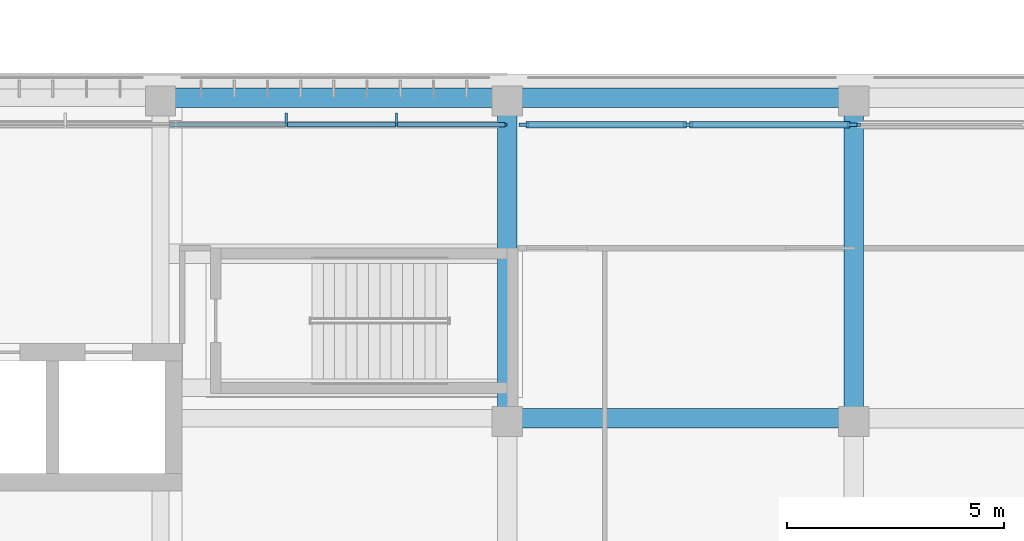
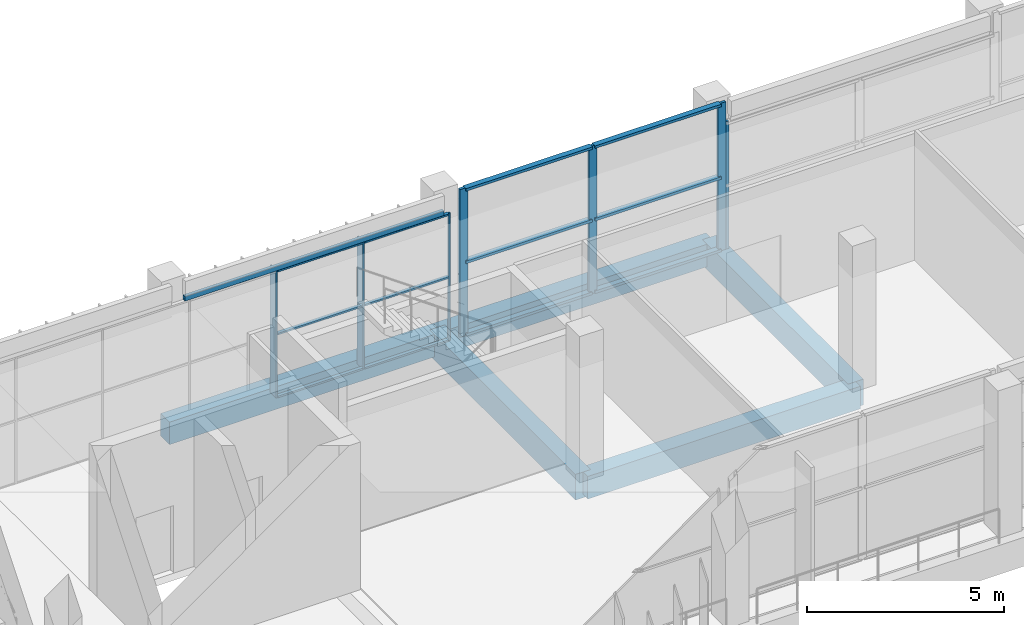
# One storey, part 6 of 46: 19 members, 6 beams, 3 elements without a shape of their own.
"""IFC4 building model written with IfcOpenShell, lengths in metres."""

import ifcopenshell
import ifcopenshell.guid

model = None  # the IFC model being written
_history = None  # IfcOwnerHistory: only IFC2X3 demands one
_inside = {}  # id of a spatial element -> (the spatial element, [elements in it])
_under = {}  # id of a project, library or spatial element -> (it, [spatial elements below it])
_declared = {}  # id of a project -> (the project, [libraries it declares])
_typed = {}  # id of a type object -> (the type object, [elements of that type])
_made_of = {}  # id of a material, layer set ... -> (it, [elements and type objects made of it])


def new_model(schema):
    """Start an empty IFC model of exactly this schema.

    Asked for "IFC4X3", IfcOpenShell would pick the latest addendum, in which some entities
    have other attributes; the version numbers below select the first issue.
    IFC2X3 requires an IfcOwnerHistory on every rooted entity: one is made here for all.
    """
    global model, _history
    if schema == "IFC4X3":
        model = ifcopenshell.file(schema_version=(4, 3, 0, 0))
    else:
        model = ifcopenshell.file(schema=schema)
    _inside.clear()
    _under.clear()
    _declared.clear()
    _typed.clear()
    _made_of.clear()
    _history = None
    if model.schema == "IFC2X3":
        org = make("IfcOrganization", Name="unknown")
        user = make(
            "IfcPersonAndOrganization",
            ThePerson=make("IfcPerson", FamilyName="unknown"),
            TheOrganization=org,
        )
        app = make(
            "IfcApplication",
            ApplicationDeveloper=org,
            Version="unknown",
            ApplicationFullName="unknown",
            ApplicationIdentifier="unknown",
        )
        _history = make(
            "IfcOwnerHistory",
            OwningUser=user,
            OwningApplication=app,
            ChangeAction="ADDED",
            CreationDate=0,
        )
    return model


def make(cls, **values):
    """One entity of the class cls with the attributes given. An attribute that is None is left unset."""
    return model.create_entity(
        cls, **{name: value for name, value in values.items() if value is not None}
    )


def rooted(cls, **values):
    """An entity with a GlobalId (a new one), such as an element, a storey or a relation."""
    return make(cls, GlobalId=ifcopenshell.guid.new(), OwnerHistory=_history, **values)


def si_unit(unit_type, name, prefix=None):
    """IfcSIUnit, for example si_unit("LENGTHUNIT", "METRE", prefix="MILLI")."""
    return make("IfcSIUnit", UnitType=unit_type, Prefix=prefix, Name=name)


def assignment(units):
    """IfcUnitAssignment: the units of a project."""
    return None if units is None else make("IfcUnitAssignment", Units=units)


def point(xyz):
    """IfcCartesianPoint."""
    return None if xyz is None else make("IfcCartesianPoint", Coordinates=xyz)


def direction(xyz):
    """IfcDirection."""
    return None if xyz is None else make("IfcDirection", DirectionRatios=xyz)


def frame(location, z_axis=None, x_axis=None):
    """IfcAxis2Placement3D, a coordinate frame: its origin and axes. An axis left out is left unset."""
    return make(
        "IfcAxis2Placement3D",
        Location=point(location),
        Axis=direction(z_axis),
        RefDirection=direction(x_axis),
    )


def frame_2d(location, x_axis=None):
    """IfcAxis2Placement2D, a coordinate frame in the plane: its origin and x axis."""
    return make(
        "IfcAxis2Placement2D", Location=point(location), RefDirection=direction(x_axis)
    )


def origin():
    """The frame at (0, 0, 0) with its axes left unset."""
    return frame((0.0, 0.0, 0.0))


def origin_2d():
    """The frame at (0, 0) in the plane with its x axis left unset."""
    return frame_2d((0.0, 0.0))


def place(relative_to, where):
    """IfcLocalPlacement: puts the frame where relative to a parent placement (None: the world)."""
    return make(
        "IfcLocalPlacement", PlacementRelTo=relative_to, RelativePlacement=where
    )


def context(
    kind, dimensions, precision=None, world=None, true_north=None, identifier=None
):
    """IfcGeometricRepresentationContext, for example the 3D "Model" context."""
    return make(
        "IfcGeometricRepresentationContext",
        ContextIdentifier=identifier,
        ContextType=kind,
        CoordinateSpaceDimension=dimensions,
        Precision=precision,
        WorldCoordinateSystem=world,
        TrueNorth=true_north,
    )


def subcontext(parent, identifier, kind, view, scale=None):
    """IfcGeometricRepresentationSubContext, for example "Body" below "Model"."""
    return make(
        "IfcGeometricRepresentationSubContext",
        ContextIdentifier=identifier,
        ContextType=kind,
        ParentContext=parent,
        TargetScale=scale,
        TargetView=view,
    )


def project(units=None, contexts=None):
    """IfcProject with its units and contexts."""
    return rooted(
        "IfcProject",
        Name="project",
        RepresentationContexts=contexts,
        UnitsInContext=assignment(units),
    )


def spatial(cls, under=None, at=None, **own):
    """A site, building, storey or space (cls), placed at a placement, below another one or the project."""
    s = rooted(cls, ObjectPlacement=at, **own)
    if under is not None:
        _under.setdefault(under.id(), (under, []))[1].append(s)
    return s


def profile(cls, at=None, kind="AREA", **sizes):
    """A parametric profile (cls). Its sizes go by their IFC names, for example OverallWidth=200.0."""
    return make(cls, ProfileType=kind, Position=at, **sizes)


def rectangle(**sizes):
    """IfcRectangleProfileDef."""
    return profile("IfcRectangleProfileDef", **sizes)


def hollow_rectangle(**sizes):
    """IfcRectangleHollowProfileDef."""
    return profile("IfcRectangleHollowProfileDef", **sizes)


def extrude(swept, where, along, depth):
    """IfcExtrudedAreaSolid: the profile swept, set in the frame where, extruded along a direction by depth."""
    return make(
        "IfcExtrudedAreaSolid",
        SweptArea=swept,
        Position=where,
        ExtrudedDirection=direction(along),
        Depth=depth,
    )


def shape(context_of_items, identifier, shape_type, items):
    """IfcShapeRepresentation: the items that make up one representation, for example the "Body"."""
    return make(
        "IfcShapeRepresentation",
        ContextOfItems=context_of_items,
        RepresentationIdentifier=identifier,
        RepresentationType=shape_type,
        Items=items,
    )


def material(Name=None, Category=None):
    """IfcMaterial."""
    return make("IfcMaterial", Name=Name, Category=Category)


def material_profile(
    of_material, cross_section, Name=None, Category=None, Priority=None
):
    """IfcMaterialProfile: a cross section and its material."""
    return make(
        "IfcMaterialProfile",
        Name=Name,
        Material=of_material,
        Profile=cross_section,
        Priority=Priority,
        Category=Category,
    )


def profile_set(profiles, Name=None, composite=None):
    """IfcMaterialProfileSet."""
    return make(
        "IfcMaterialProfileSet",
        Name=Name,
        MaterialProfiles=profiles,
        CompositeProfile=composite,
    )


def made_of(thing, what):
    """Note that an element or type object is made of a material, layer set ...; save() writes the relation."""
    if what is not None:
        _made_of.setdefault(what.id(), (what, []))[1].append(thing)
    return thing


def type_object(cls, material=None, **own):
    """A type object (cls), such as IfcWallType, which elements share."""
    return made_of(rooted(cls, **own), material)


def element(
    cls,
    number,
    at=None,
    inside=None,
    cuts=None,
    type_object=None,
    material=None,
    context=None,
    identifier="Body",
    shape_type=None,
    held_by="IfcProductDefinitionShape",
    body=None,
    shapes=None,
    **own,
):
    """One element of the class cls, such as IfcWall. Its Tag is "e" and its number.

    at: its placement. inside: the storey or other place that contains it. cuts: it is an
    opening in that element (IfcRelVoidsElement). A single representation is given by context,
    identifier, shape_type and body (its items); several are given by shapes. held_by: the class
    of the entity that holds the representations. save() writes the other relations.
    """
    e = rooted(cls, Tag="e%d" % number, ObjectPlacement=at, **own)
    if body is not None:
        shapes = [shape(context, identifier, shape_type, body)]
    if shapes is not None:
        e.Representation = make(held_by, Representations=shapes)
    if inside is not None:
        _inside.setdefault(inside.id(), (inside, []))[1].append(e)
    if cuts is not None:
        rooted(
            "IfcRelVoidsElement", RelatingBuildingElement=cuts, RelatedOpeningElement=e
        )
    if type_object is not None:
        _typed.setdefault(type_object.id(), (type_object, []))[1].append(e)
    return made_of(e, material)


def aggregate(whole, parts):
    """IfcRelAggregates: a whole, such as a stair, and the parts it consists of."""
    return rooted("IfcRelAggregates", RelatingObject=whole, RelatedObjects=parts)


def save(model, path):
    """Write the relations noted so far, then the file.

    IfcRelAggregates (storeys below a building ...), IfcRelContainedInSpatialStructure (elements
    in a storey), IfcRelDefinesByType, IfcRelAssociatesMaterial and IfcRelDeclares: one each for
    every whole, place, type object, material and project.
    """
    for whole, parts in _under.values():
        aggregate(whole, parts)
    for where, things in _inside.values():
        rooted(
            "IfcRelContainedInSpatialStructure",
            RelatedElements=things,
            RelatingStructure=where,
        )
    for kind, things in _typed.values():
        rooted("IfcRelDefinesByType", RelatedObjects=things, RelatingType=kind)
    for what, things in _made_of.values():
        rooted("IfcRelAssociatesMaterial", RelatedObjects=things, RelatingMaterial=what)
    for by, libraries in _declared.values():
        rooted("IfcRelDeclares", RelatingContext=by, RelatedDefinitions=libraries)
    model.write(path)


model = new_model("IFC4")

# Units and contexts
model_context = context("Model", 3, precision=1e-05, world=origin(), true_north=direction((0.0, 1.0)))
body_context = subcontext(model_context, "Body", "Model", "MODEL_VIEW")
ifc_project = project(units=[si_unit("LENGTHUNIT", "METRE"), si_unit("AREAUNIT", "SQUARE_METRE"), si_unit("VOLUMEUNIT", "CUBIC_METRE"), si_unit("PLANEANGLEUNIT", "RADIAN"), si_unit("MASSUNIT", "GRAM", prefix="KILO")], contexts=[model_context])

# Site, building, storey
site_placement = place(None, origin())
site = spatial("IfcSite", under=ifc_project, at=site_placement, CompositionType="ELEMENT")
building_placement = place(site_placement, origin())
building = spatial("IfcBuilding", under=site, at=building_placement, Name="Lantern Court Media Centre", CompositionType="ELEMENT")
storey_placement = place(building_placement, frame((0.0, 0.0, 28.800048828125)))
storey = spatial("IfcBuildingStorey", under=building, at=storey_placement, Name="L06", CompositionType="ELEMENT", Elevation=28.800048828125)

# Curtain wall, members
ifc_material_1 = material(Name="Curtain wall bay 2400")
curtain_wall_type_1 = type_object("IfcCurtainWallType", Name="Curtain wall bay 2400", PredefinedType="NOTDEFINED", material=ifc_material_1)
curtain_wall_1_placement = place(storey_placement, origin())
curtain_wall_1 = element("IfcCurtainWall", 1, at=curtain_wall_1_placement, inside=storey, type_object=curtain_wall_type_1, Name="Curtain wall S inner L06", PredefinedType="NOTDEFINED")
ifc_material_2 = material(Name="Anodised aluminium", Category="aluminium")
ifc_material_profile_1 = material_profile(ifc_material_2, rectangle(XDim=0.300048828125, YDim=0.050048828125, at=origin_2d()), Name="AL 50x300")
ifc_profile_set_1 = profile_set([ifc_material_profile_1], Name="Anodised aluminium")
member_type_1 = type_object("IfcMemberType", Name="Curtain wall mullion 50x300", PredefinedType="MULLION", material=ifc_profile_set_1)
member_1_placement = place(storey_placement, frame((34.89990234375, 56.969970703125, 0.0), z_axis=(0.0, 0.0, 1.0), x_axis=(0.0, 1.0, 0.0)))
member_1 = element("IfcMember", 2, at=member_1_placement, type_object=member_type_1, Name="CW2 mullion 5", PredefinedType="MULLION", context=body_context, shape_type="SweptSolid", body=[
    extrude(rectangle(XDim=0.300048828125, YDim=0.050048828125, at=origin_2d()), origin(), (0.0, 0.0, 1.0), 3.949951171875),
])
member_2_placement = place(storey_placement, frame((37.449951171875, 56.969970703125, 0.0), z_axis=(0.0, 0.0, 1.0), x_axis=(0.0, 1.0, 0.0)))
member_2 = element("IfcMember", 3, at=member_2_placement, type_object=member_type_1, Name="CW2 mullion 6", PredefinedType="MULLION", context=body_context, shape_type="SweptSolid", body=[
    extrude(rectangle(XDim=0.300048828125, YDim=0.050048828125, at=origin_2d()), origin(), (0.0, 0.0, 1.0), 3.949951171875),
])
ifc_material_profile_2 = material_profile(ifc_material_2, rectangle(XDim=0.06005859375, YDim=0.050048828125, at=origin_2d()), Name="AL 50x60")
ifc_profile_set_2 = profile_set([ifc_material_profile_2], Name="Anodised aluminium")
member_type_2 = type_object("IfcMemberType", Name="Curtain wall mullion 50x60", PredefinedType="MULLION", material=ifc_profile_set_2)
member_3_placement = place(storey_placement, frame((39.97509765625, 56.85009765625, 0.0), z_axis=(0.0, 0.0, 1.0), x_axis=(0.0, 1.0, 0.0)))
member_3 = element("IfcMember", 4, at=member_3_placement, type_object=member_type_2, Name="CW2 mullion 7", PredefinedType="MULLION", context=body_context, shape_type="SweptSolid", body=[
    extrude(rectangle(XDim=0.06005859375, YDim=0.050048828125, at=origin_2d()), origin(), (0.0, 0.0, 1.0), 3.949951171875),
])

ifc_material_3 = material(Name="Curtain wall bay 4000")
curtain_wall_type_2 = type_object("IfcCurtainWallType", Name="Curtain wall bay 4000", PredefinedType="NOTDEFINED", material=ifc_material_3)
curtain_wall_2_placement = place(storey_placement, origin())
curtain_wall_2 = element("IfcCurtainWall", 5, at=curtain_wall_2_placement, inside=storey, type_object=curtain_wall_type_2, Name="Curtain wall S inner L06", PredefinedType="NOTDEFINED")
ifc_material_profile_3 = material_profile(ifc_material_2, rectangle(XDim=0.080078125, YDim=0.239990234375, at=origin_2d()), Name="AL 80x240")
ifc_profile_set_3 = profile_set([ifc_material_profile_3], Name="Anodised aluminium")
member_type_3 = type_object("IfcMemberType", Name="Curtain wall mullion 80x240", PredefinedType="MULLION", material=ifc_profile_set_3)
member_4_placement = place(storey_placement, frame((40.389892578125, 56.85009765625, 0.0), z_axis=(0.0, 0.0, 1.0), x_axis=(0.0, 1.0, 0.0)))
member_4 = element("IfcMember", 6, at=member_4_placement, type_object=member_type_3, Name="CW3 mullion 1", PredefinedType="MULLION", context=body_context, shape_type="SweptSolid", body=[
    extrude(rectangle(XDim=0.080078125, YDim=0.239990234375, at=origin_2d()), origin(), (0.0, 0.0, 1.0), 4.579833984375),
])
member_5_placement = place(storey_placement, frame((44.175048828125, 56.85009765625, 0.0), z_axis=(0.0, 0.0, 1.0), x_axis=(0.0, 1.0, 0.0)))
member_5 = element("IfcMember", 7, at=member_5_placement, type_object=member_type_3, Name="CW3 mullion 2", PredefinedType="MULLION", context=body_context, shape_type="SweptSolid", body=[
    extrude(rectangle(XDim=0.080078125, YDim=0.239990234375, at=origin_2d()), origin(), (0.0, 0.0, 1.0), 4.579833984375),
])
member_6_placement = place(storey_placement, frame((47.9599609375, 56.85009765625, 0.0), z_axis=(0.0, 0.0, 1.0), x_axis=(0.0, 1.0, 0.0)))
member_6 = element("IfcMember", 8, at=member_6_placement, type_object=member_type_3, Name="CW3 mullion 3", PredefinedType="MULLION", context=body_context, shape_type="SweptSolid", body=[
    extrude(rectangle(XDim=0.080078125, YDim=0.239990234375, at=origin_2d()), origin(), (0.0, 0.0, 1.0), 4.579833984375),
])

# Curtain wall, member
curtain_wall_3_placement = place(storey_placement, origin())
curtain_wall_3 = element("IfcCurtainWall", 9, at=curtain_wall_3_placement, inside=storey, type_object=curtain_wall_type_2, Name="Curtain wall S inner L06", PredefinedType="NOTDEFINED")
member_7_placement = place(storey_placement, frame((48.0400390625, 56.85009765625, 0.0), z_axis=(0.0, 0.0, 1.0), x_axis=(0.0, 1.0, 0.0)))
member_7 = element("IfcMember", 10, at=member_7_placement, type_object=member_type_3, Name="CW3 mullion 1", PredefinedType="MULLION", context=body_context, shape_type="SweptSolid", body=[
    extrude(rectangle(XDim=0.080078125, YDim=0.239990234375, at=origin_2d()), origin(), (0.0, 0.0, 1.0), 3.949951171875),
])
aggregate(curtain_wall_3, [member_7])

# Member
ifc_material_profile_4 = material_profile(ifc_material_2, rectangle(XDim=0.10009765625, YDim=0.050048828125, at=origin_2d()), Name="AL 50x100")
ifc_profile_set_4 = profile_set([ifc_material_profile_4], Name="Anodised aluminium")
member_type_4 = type_object("IfcMemberType", Name="Curtain wall transom 100x50", PredefinedType="USERDEFINED", material=ifc_profile_set_4)
member_8_placement = place(storey_placement, frame((34.925048828125, 56.85009765625, 0.02490234375), z_axis=(1.0, 0.0, 0.0), x_axis=(0.0, 1.0, 0.0)))
member_8 = element("IfcMember", 11, at=member_8_placement, type_object=member_type_4, Name="CW2 transom 5.1", ObjectType="TRANSOM", PredefinedType="USERDEFINED", context=body_context, shape_type="SweptSolid", body=[
    extrude(rectangle(XDim=0.10009765625, YDim=0.050048828125, at=origin_2d()), origin(), (0.0, 0.0, 1.0), 2.5),
])

member_9_placement = place(storey_placement, frame((34.925048828125, 56.85009765625, 1.974853515625), z_axis=(1.0, 0.0, 0.0), x_axis=(0.0, 1.0, 0.0)))
member_9 = element("IfcMember", 12, at=member_9_placement, type_object=member_type_4, Name="CW2 transom 5.2", ObjectType="TRANSOM", PredefinedType="USERDEFINED", context=body_context, shape_type="SweptSolid", body=[
    extrude(rectangle(XDim=0.10009765625, YDim=0.050048828125, at=origin_2d()), origin(), (0.0, 0.0, 1.0), 2.5),
])

member_10_placement = place(storey_placement, frame((34.925048828125, 56.85009765625, 3.925048828125), z_axis=(1.0, 0.0, 0.0), x_axis=(0.0, 1.0, 0.0)))
member_10 = element("IfcMember", 13, at=member_10_placement, type_object=member_type_4, Name="CW2 transom 5.3", ObjectType="TRANSOM", PredefinedType="USERDEFINED", context=body_context, shape_type="SweptSolid", body=[
    extrude(rectangle(XDim=0.10009765625, YDim=0.050048828125, at=origin_2d()), origin(), (0.0, 0.0, 1.0), 2.5),
])

member_11_placement = place(storey_placement, frame((37.47509765625, 56.85009765625, 0.02490234375), z_axis=(1.0, 0.0, 0.0), x_axis=(0.0, 1.0, 0.0)))
member_11 = element("IfcMember", 14, at=member_11_placement, type_object=member_type_4, Name="CW2 transom 6.1", ObjectType="TRANSOM", PredefinedType="USERDEFINED", context=body_context, shape_type="SweptSolid", body=[
    extrude(rectangle(XDim=0.10009765625, YDim=0.050048828125, at=origin_2d()), origin(), (0.0, 0.0, 1.0), 2.474853515625),
])

member_12_placement = place(storey_placement, frame((37.47509765625, 56.85009765625, 1.974853515625), z_axis=(1.0, 0.0, 0.0), x_axis=(0.0, 1.0, 0.0)))
member_12 = element("IfcMember", 15, at=member_12_placement, type_object=member_type_4, Name="CW2 transom 6.2", ObjectType="TRANSOM", PredefinedType="USERDEFINED", context=body_context, shape_type="SweptSolid", body=[
    extrude(rectangle(XDim=0.10009765625, YDim=0.050048828125, at=origin_2d()), origin(), (0.0, 0.0, 1.0), 2.474853515625),
])

member_13_placement = place(storey_placement, frame((37.47509765625, 56.85009765625, 3.925048828125), z_axis=(1.0, 0.0, 0.0), x_axis=(0.0, 1.0, 0.0)))
member_13 = element("IfcMember", 16, at=member_13_placement, type_object=member_type_4, Name="CW2 transom 6.3", ObjectType="TRANSOM", PredefinedType="USERDEFINED", context=body_context, shape_type="SweptSolid", body=[
    extrude(rectangle(XDim=0.10009765625, YDim=0.050048828125, at=origin_2d()), origin(), (0.0, 0.0, 1.0), 2.474853515625),
])

aggregate(curtain_wall_1, [member_1, member_2, member_3, member_8, member_9, member_10, member_11, member_12, member_13])

ifc_material_profile_5 = material_profile(ifc_material_2, rectangle(XDim=0.159912109375, YDim=0.080078125, at=origin_2d()), Name="AL 80x160")
ifc_profile_set_5 = profile_set([ifc_material_profile_5], Name="Anodised aluminium")
member_type_5 = type_object("IfcMemberType", Name="Curtain wall transom 160x80", PredefinedType="USERDEFINED", material=ifc_profile_set_5)
member_14_placement = place(storey_placement, frame((40.429931640625, 56.85009765625, 0.0400390625), z_axis=(1.0, 0.0, 0.0), x_axis=(0.0, 1.0, 0.0)))
member_14 = element("IfcMember", 17, at=member_14_placement, type_object=member_type_5, Name="CW3 transom 1.1", ObjectType="TRANSOM", PredefinedType="USERDEFINED", context=body_context, shape_type="SweptSolid", body=[
    extrude(rectangle(XDim=0.159912109375, YDim=0.080078125, at=origin_2d()), origin(), (0.0, 0.0, 1.0), 3.705078125),
])

member_15_placement = place(storey_placement, frame((40.429931640625, 56.85009765625, 2.2900390625), z_axis=(1.0, 0.0, 0.0), x_axis=(0.0, 1.0, 0.0)))
member_15 = element("IfcMember", 18, at=member_15_placement, type_object=member_type_5, Name="CW3 transom 1.2", ObjectType="TRANSOM", PredefinedType="USERDEFINED", context=body_context, shape_type="SweptSolid", body=[
    extrude(rectangle(XDim=0.159912109375, YDim=0.080078125, at=origin_2d()), origin(), (0.0, 0.0, 1.0), 3.705078125),
])

member_16_placement = place(storey_placement, frame((40.429931640625, 56.85009765625, 4.5400390625), z_axis=(1.0, 0.0, 0.0), x_axis=(0.0, 1.0, 0.0)))
member_16 = element("IfcMember", 19, at=member_16_placement, type_object=member_type_5, Name="CW3 transom 1.3", ObjectType="TRANSOM", PredefinedType="USERDEFINED", context=body_context, shape_type="SweptSolid", body=[
    extrude(rectangle(XDim=0.159912109375, YDim=0.080078125, at=origin_2d()), origin(), (0.0, 0.0, 1.0), 3.705078125),
])

member_17_placement = place(storey_placement, frame((44.215087890625, 56.85009765625, 0.0400390625), z_axis=(1.0, 0.0, 0.0), x_axis=(0.0, 1.0, 0.0)))
member_17 = element("IfcMember", 20, at=member_17_placement, type_object=member_type_5, Name="CW3 transom 2.1", ObjectType="TRANSOM", PredefinedType="USERDEFINED", context=body_context, shape_type="SweptSolid", body=[
    extrude(rectangle(XDim=0.159912109375, YDim=0.080078125, at=origin_2d()), origin(), (0.0, 0.0, 1.0), 3.704833984375),
])

member_18_placement = place(storey_placement, frame((44.215087890625, 56.85009765625, 2.2900390625), z_axis=(1.0, 0.0, 0.0), x_axis=(0.0, 1.0, 0.0)))
member_18 = element("IfcMember", 21, at=member_18_placement, type_object=member_type_5, Name="CW3 transom 2.2", ObjectType="TRANSOM", PredefinedType="USERDEFINED", context=body_context, shape_type="SweptSolid", body=[
    extrude(rectangle(XDim=0.159912109375, YDim=0.080078125, at=origin_2d()), origin(), (0.0, 0.0, 1.0), 3.704833984375),
])

member_19_placement = place(storey_placement, frame((44.215087890625, 56.85009765625, 4.5400390625), z_axis=(1.0, 0.0, 0.0), x_axis=(0.0, 1.0, 0.0)))
member_19 = element("IfcMember", 22, at=member_19_placement, type_object=member_type_5, Name="CW3 transom 2.3", ObjectType="TRANSOM", PredefinedType="USERDEFINED", context=body_context, shape_type="SweptSolid", body=[
    extrude(rectangle(XDim=0.159912109375, YDim=0.080078125, at=origin_2d()), origin(), (0.0, 0.0, 1.0), 3.704833984375),
])

aggregate(curtain_wall_2, [member_4, member_5, member_6, member_14, member_15, member_16, member_17, member_18, member_19])

# Beams
ifc_material_4 = material(Name="Steel S355J2 (EN 10025-2)", Category="steel")
ifc_material_profile_6 = material_profile(ifc_material_4, hollow_rectangle(XDim=0.10009765625, YDim=0.14990234375, WallThickness=0.00634765625, InnerFilletRadius=0.00634765625, OuterFilletRadius=0.009521484375, at=origin_2d()), Name="Facade head lintel RHS 150x100x6.3")
ifc_profile_set_6 = profile_set([ifc_material_profile_6], Name="Steel S355J2 (EN 10025-2)")
beam_type_1 = type_object("IfcBeamType", Name="Facade head lintel RHS 150x100x6.3", PredefinedType="BEAM", material=ifc_profile_set_6)
beam_placement = place(storey_placement, frame((32.199951171875, 56.85009765625, 4.02490234375), z_axis=(1.0, 0.0, 0.0), x_axis=(0.0, 1.0, 0.0)))
element("IfcBeam", 23, at=beam_placement, inside=storey, type_object=beam_type_1, Name="Facade head lintel S L06", PredefinedType="BEAM", context=body_context, shape_type="SweptSolid", body=[
    extrude(hollow_rectangle(XDim=0.10009765625, YDim=0.14990234375, WallThickness=0.00634765625, InnerFilletRadius=0.00634765625, OuterFilletRadius=0.009521484375, at=origin_2d()), origin(), (0.0, 0.0, 1.0), 7.60009765625),
])
ifc_material_5 = material(Name="Concrete C35", Category="concrete")
ifc_material_profile_7 = material_profile(ifc_material_5, rectangle(XDim=0.449951171875, YDim=0.699951171875, at=origin_2d()), Name="RC 450x700")
ifc_profile_set_7 = profile_set([ifc_material_profile_7], Name="Concrete C35")
beam_type_2 = type_object("IfcBeamType", Name="RC BEAM 450x700", PredefinedType="BEAM", material=ifc_profile_set_7)
for number, where, z_axis, x_axis, name in (
    (24, (40.0, 50.072998046875, -0.35009765625), (1.0, 0.0, 0.0), (0.0, 1.0, 0.0), "LB-S-L06-1-2"),
    (25, (32.0, 57.472900390625, -0.35009765625), (1.0, 0.0, 0.0), (0.0, 1.0, 0.0), "LB-S-L06-2-1"),
    (26, (40.0, 57.472900390625, -0.35009765625), (1.0, 0.0, 0.0), (0.0, 1.0, 0.0), "LB-S-L06-2-2"),
):
    element("IfcBeam", number, at=place(storey_placement, frame(where, z_axis=z_axis, x_axis=x_axis)), inside=storey, type_object=beam_type_2, Name=name, PredefinedType="BEAM", context=body_context, shape_type="SweptSolid", body=[
        extrude(rectangle(XDim=0.449951171875, YDim=0.699951171875, at=origin_2d()), origin(), (0.0, 0.0, 1.0), 8.0),
    ])
ifc_material_profile_8 = material_profile(ifc_material_5, rectangle(XDim=0.449951171875, YDim=0.800048828125, at=origin_2d()), Name="RC 450x800")
ifc_profile_set_8 = profile_set([ifc_material_profile_8], Name="Concrete C35")
beam_type_3 = type_object("IfcBeamType", Name="RC BEAM 450x800", PredefinedType="BEAM", material=ifc_profile_set_8)
for number, where, z_axis, x_axis, name in (
    (27, (40.0, 50.083251953125, -0.400146484375), (0.0, 1.0, 0.0), (-1.0, 0.0, 0.0), "TB-S-L06-2-2"),
    (28, (48.0, 50.083251953125, -0.400146484375), (0.0, 1.0, 0.0), (-1.0, 0.0, 0.0), "TB-S-L06-3-2"),
):
    element("IfcBeam", number, at=place(storey_placement, frame(where, z_axis=z_axis, x_axis=x_axis)), inside=storey, type_object=beam_type_3, Name=name, PredefinedType="BEAM", context=body_context, shape_type="SweptSolid", body=[
        extrude(rectangle(XDim=0.449951171875, YDim=0.800048828125, at=origin_2d()), origin(), (0.0, 0.0, 1.0), 7.400146484375),
    ])

save(model, "model.ifc")
